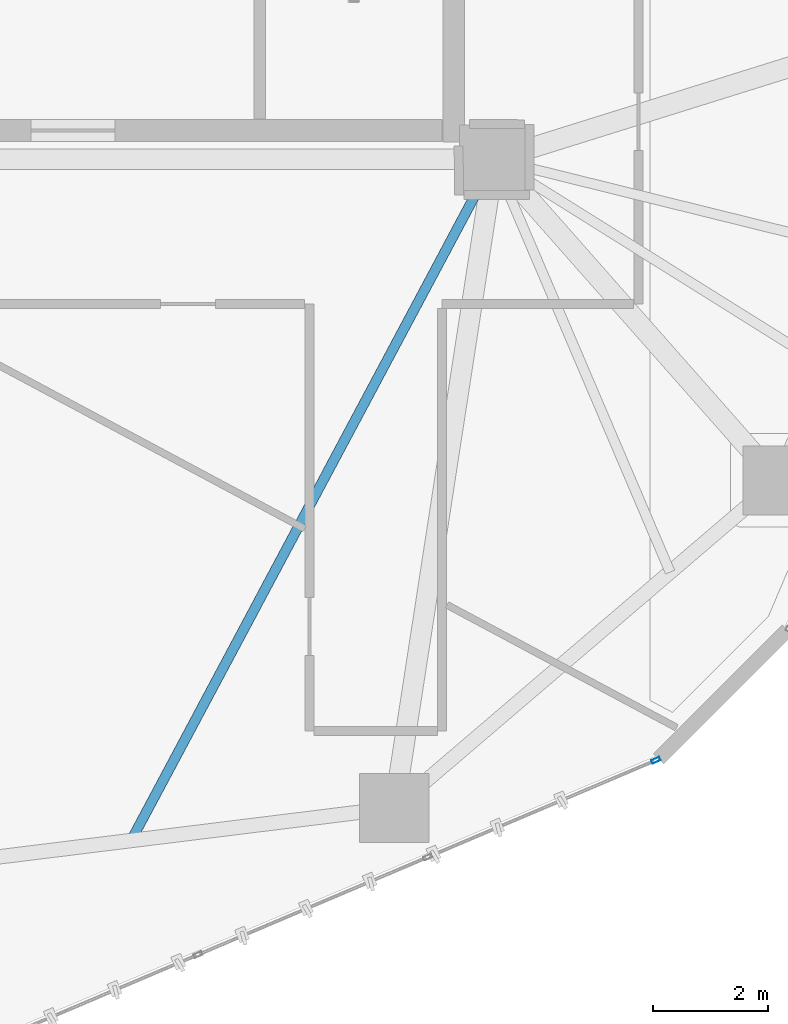
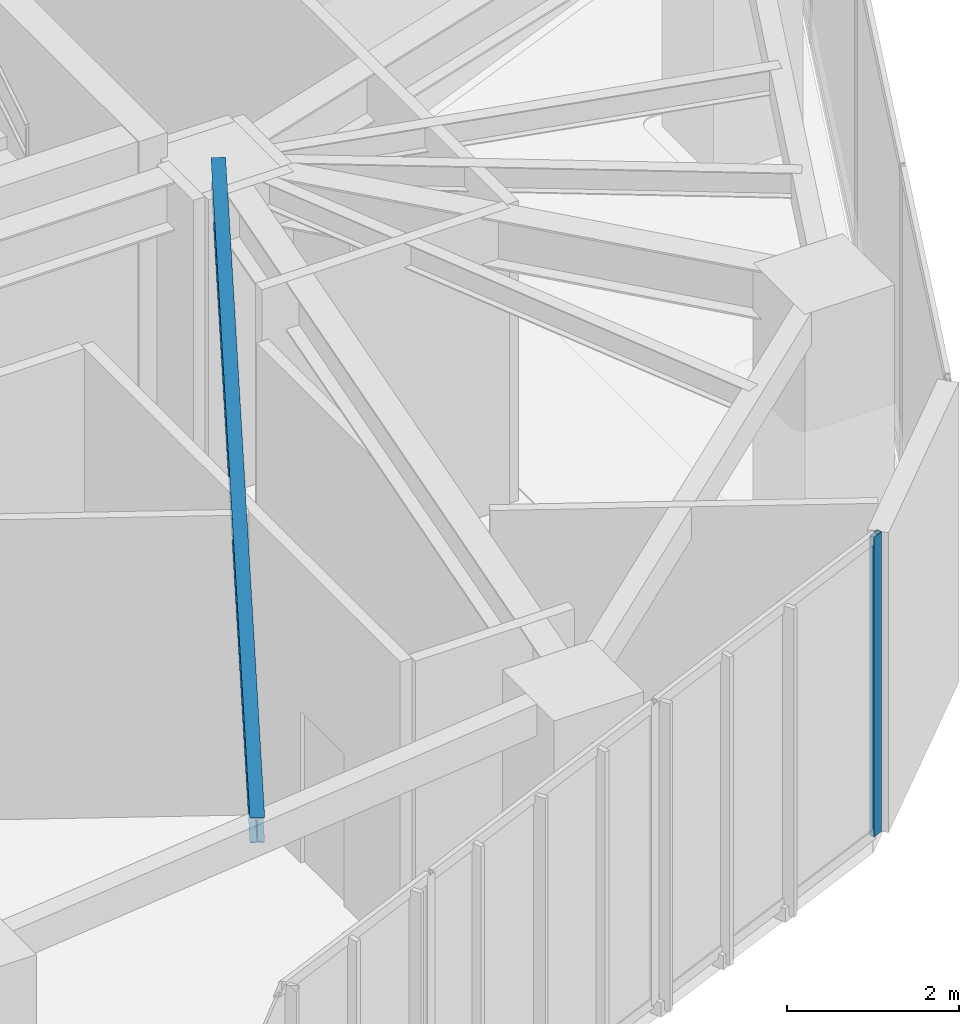
# One storey, part 7 of 28: 1 beam, 1 member, 1 element without a shape of its own.
"""IFC4 building model written with IfcOpenShell, lengths in metres."""

from ifc_helpers import new_model, si_unit, direction, frame, origin, origin_2d, place, context, subcontext, project, spatial, hollow_rectangle, i_section, extrude, source, transform, mapped, material, layer, layer_set, material_profile, profile_set, type_object, type_shapes, element, aggregate, save


model = new_model("IFC4")

# Units and contexts
model_context = context("Model", 3, precision=1e-05, world=origin(), true_north=direction((0.0, 1.0)))
body_context = subcontext(model_context, "Body", "Model", "MODEL_VIEW")
ifc_project = project(units=[si_unit("LENGTHUNIT", "METRE"), si_unit("AREAUNIT", "SQUARE_METRE"), si_unit("VOLUMEUNIT", "CUBIC_METRE"), si_unit("PLANEANGLEUNIT", "RADIAN"), si_unit("MASSUNIT", "GRAM", prefix="KILO")], contexts=[model_context])

# Site, building, storey
site_placement = place(None, origin())
site = spatial("IfcSite", under=ifc_project, at=site_placement, CompositionType="ELEMENT")
building_placement = place(site_placement, origin())
building = spatial("IfcBuilding", under=site, at=building_placement, Name="Talar Marvaseh", CompositionType="ELEMENT")
storey_placement = place(building_placement, frame((0.0, 0.0, 157.800048828125)))
storey = spatial("IfcBuildingStorey", under=building, at=storey_placement, Name="L41", CompositionType="ELEMENT", Elevation=157.800048828125)

# Beam
ifc_material_1 = material(Name="Steel S355", Category="steel")
ifc_material_profile_1 = material_profile(ifc_material_1, i_section(OverallWidth=0.172119140625, OverallDepth=0.35791015625, WebThickness=0.0078125, FlangeThickness=0.01318359375, at=origin_2d()), Name="W360x57")
ifc_profile_set_1 = profile_set([ifc_material_profile_1], Name="Steel S355")
beam_type = type_object("IfcBeamType", Name="Zone 2 Secondary Floor Joist W360x57", PredefinedType="JOIST", material=ifc_profile_set_1)
beam_placement = place(storey_placement, frame((27.01220703125, 13.703857421875, 4.071044921875), z_axis=(0.470388204439, 0.88245959518, 0.0), x_axis=(-0.88245959518, 0.470388204439, 0.0)))
element("IfcBeam", 1, at=beam_placement, inside=storey, type_object=beam_type, Name="L41 Zone 2 Secondary Floor Joist W360x57", PredefinedType="JOIST", context=body_context, shape_type="SweptSolid", body=[
    extrude(i_section(OverallWidth=0.172119140625, OverallDepth=0.35791015625, WebThickness=0.0078125, FlangeThickness=0.01318359375, at=origin_2d()), origin(), (0.0, 0.0, 1.0), 13.367431640625),
])

# Curtain wall, member
ifc_material_2 = material(Name="Architectural Aluminium", Category="aluminium")
ifc_layer = layer(ifc_material_2, 0.239990234375)
ifc_layer_set = layer_set([ifc_layer], Name="Architectural Aluminium")
curtain_wall_type = type_object("IfcCurtainWallType", Name="Observation Sky Gallery Structural Glass Wall", PredefinedType="NOTDEFINED", material=ifc_layer_set)
curtain_wall_placement = place(storey_placement, origin())
curtain_wall = element("IfcCurtainWall", 2, at=curtain_wall_placement, inside=storey, type_object=curtain_wall_type, Name="L41 Observation Sky Gallery Structural Glass Wall", PredefinedType="NOTDEFINED")
ifc_material_profile_2 = material_profile(ifc_material_2, hollow_rectangle(XDim=0.06494140625, YDim=0.14990234375, WallThickness=0.00390625, at=origin_2d()), Name="RHS150x65x4")
ifc_profile_set_2 = profile_set([ifc_material_profile_2], Name="Architectural Aluminium")
member_type = type_object("IfcMemberType", Name="Unitised Curtain Wall Slim Mullion RHS150x65x4", PredefinedType="MULLION", material=ifc_profile_set_2)
shared_shape = source(origin(), body_context, "Body", "SweptSolid", [
    extrude(hollow_rectangle(XDim=0.06494140625, YDim=0.14990234375, WallThickness=0.00390625, at=origin_2d()), origin(), (0.0, 0.0, 1.0), 4.25),
])
type_shapes(member_type, [shared_shape])
member_placement = place(storey_placement, frame((36.100341796875, 15.094482421875, 0.0), z_axis=(0.0, 0.0, 1.0), x_axis=(0.390873897571, -0.920444238505, 0.0)))
member = element("IfcMember", 3, at=member_placement, type_object=member_type, Name="CW-OBS mullion 1", PredefinedType="MULLION", context=body_context, shape_type="MappedRepresentation", body=[
    mapped(shared_shape, transform((0.0, 0.0, 0.0), x_axis=(1.0, 0.0, 0.0), y_axis=(0.0, 1.0, 0.0), z_axis=(0.0, 0.0, 1.0), scale=1.0)),
])
aggregate(curtain_wall, [member])

save(model, "model.ifc")
